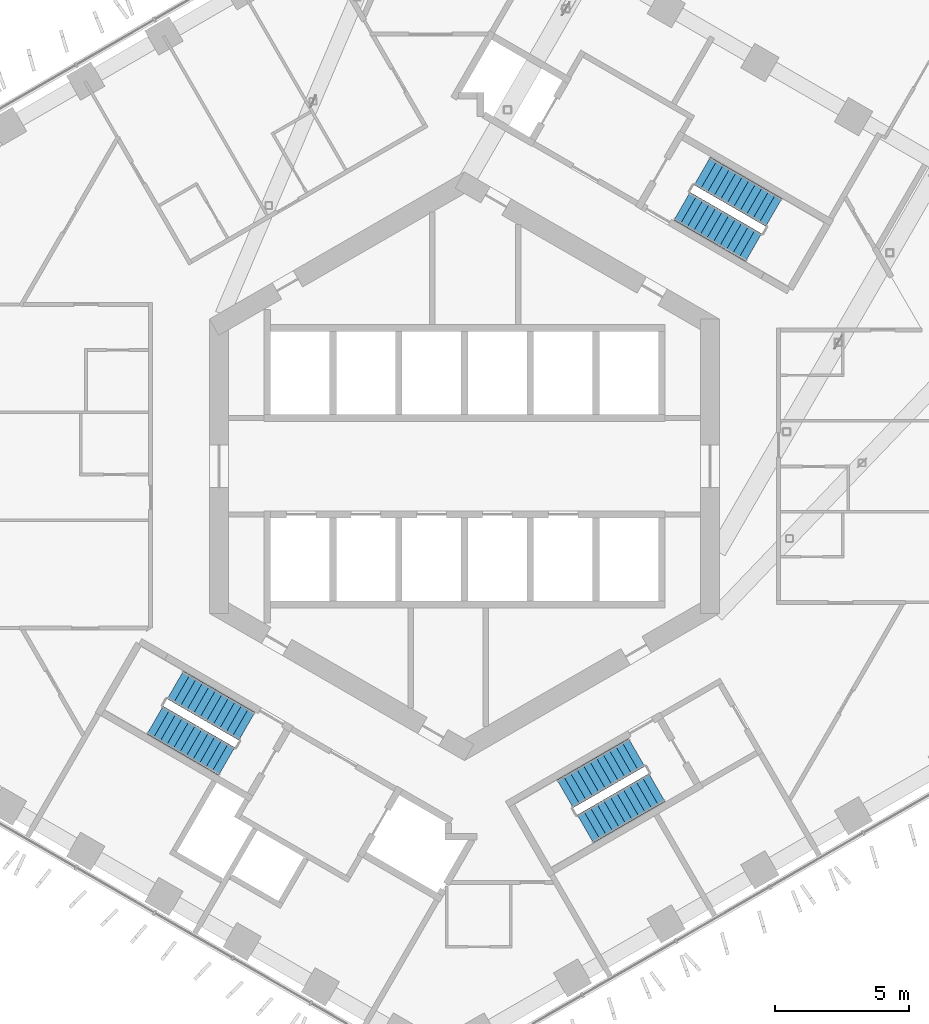
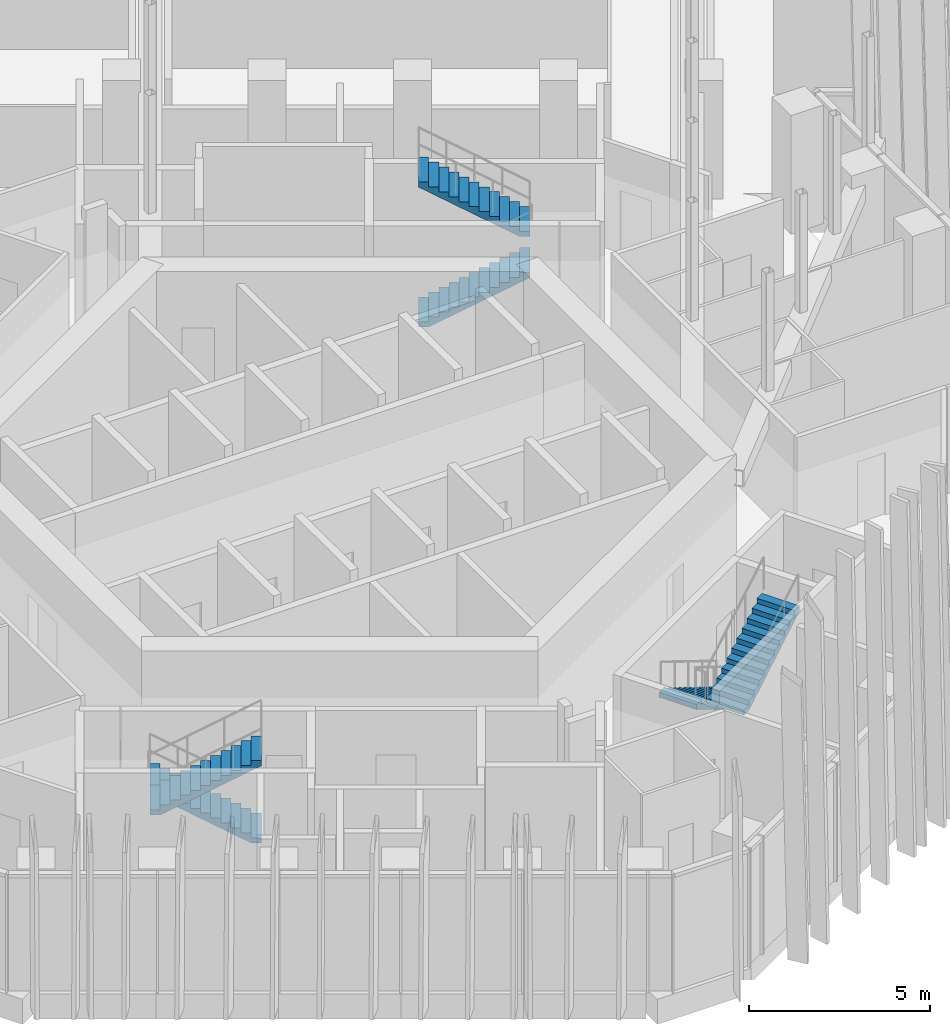
# One storey, part 26 of 31: 6 stair flights, 3 elements without a shape of their own.
"""IFC4 building model written with IfcOpenShell, lengths in metres."""

from ifc_helpers import new_model, si_unit, direction, frame, origin, place, context, subcontext, project, spatial, triangles, material, type_object, element, aggregate, save


model = new_model("IFC4")

# Units and contexts
model_context = context("Model", 3, precision=1e-05, world=origin(), true_north=direction((0.0, 1.0)))
body_context = subcontext(model_context, "Body", "Model", "MODEL_VIEW")
ifc_project = project(units=[si_unit("LENGTHUNIT", "METRE"), si_unit("AREAUNIT", "SQUARE_METRE"), si_unit("VOLUMEUNIT", "CUBIC_METRE"), si_unit("PLANEANGLEUNIT", "RADIAN"), si_unit("MASSUNIT", "GRAM", prefix="KILO")], contexts=[model_context])

# Site, building, storey
site_placement = place(None, origin())
site = spatial("IfcSite", under=ifc_project, at=site_placement, CompositionType="ELEMENT")
building_placement = place(site_placement, origin())
building = spatial("IfcBuilding", under=site, at=building_placement, Name="Ayvan Gate Tower", CompositionType="ELEMENT")
storey_placement = place(building_placement, frame((0.0, 0.0, 135.89990234375)))
storey = spatial("IfcBuildingStorey", under=building, at=storey_placement, Name="L36", CompositionType="ELEMENT", Elevation=135.89990234375)

# Stair, stair flights
ifc_material = material(Name="Concrete C40/50", Category="concrete")
stair_type = type_object("IfcStairType", Name="ST-EXIT", PredefinedType="HALF_TURN_STAIR", material=ifc_material)
stair_1_placement = place(storey_placement, origin())
stair_1 = element("IfcStair", 1, at=stair_1_placement, inside=storey, type_object=stair_type, Name="L36 Exit Stair S1", PredefinedType="HALF_TURN_STAIR")
stair_flight_type = type_object("IfcStairFlightType", Name="SFL-EXIT", PredefinedType="STRAIGHT", material=ifc_material)
stair_flight_1_placement = place(storey_placement, frame((8.106201171875, 9.690185546875, 0.0), z_axis=(0.0, 0.0, 1.0), x_axis=(0.866025403784, -0.5, 0.0)))
stair_flight_1 = element("IfcStairFlight", 2, at=stair_flight_1_placement, type_object=stair_flight_type, Name="STS1 flight 1", NumberOfRisers=12, NumberOfTreads=11, PredefinedType="STRAIGHT", RiserHeight=0.166666667, TreadLength=0.28, context=body_context, shape_type="Tessellation", body=[
    triangles([(0.293073, -0.599976, 0.0), (3.0805, -0.599976, 1.659182), (3.0805, -0.599976, 1.833333), (2.8, -0.599976, 1.833333), (2.8, -0.599976, 1.666667), (2.52, -0.599976, 1.666667), (2.52, -0.599976, 1.5), (2.24, -0.599976, 1.5), (2.24, -0.599976, 1.333333), (1.96, -0.599976, 1.333333), (1.96, -0.599976, 1.166667), (1.68, -0.599976, 1.166667), (1.68, -0.599976, 1.0), (1.4, -0.599976, 1.0), (1.4, -0.599976, 0.833333), (1.12, -0.599976, 0.833333), (1.12, -0.599976, 0.666667), (0.84, -0.599976, 0.666667), (0.84, -0.599976, 0.5), (0.56, -0.599976, 0.5), (0.56, -0.599976, 0.333333), (0.28, -0.599976, 0.333333), (0.28, -0.599976, 0.166667), (-0.0005, -0.599976, 0.166667), (-0.0005, -0.599976, 0.0), (0.293073, 0.0, 0.0), (3.0805, 0.0, 1.659182), (3.0805, 0.0, 1.833333), (2.8, 0.0, 1.833333), (2.8, 0.0, 1.666667), (2.52, 0.0, 1.666667), (2.52, 0.0, 1.5), (2.24, 0.0, 1.5), (2.24, 0.0, 1.333333), (1.96, 0.0, 1.333333), (1.96, 0.0, 1.166667), (1.68, 0.0, 1.166667), (1.68, 0.0, 1.0), (1.4, 0.0, 1.0), (1.4, 0.0, 0.833333), (1.12, 0.0, 0.833333), (1.12, 0.0, 0.666667), (0.84, 0.0, 0.666667), (0.84, 0.0, 0.5), (0.56, 0.0, 0.5), (0.56, 0.0, 0.333333), (0.28, 0.0, 0.333333), (0.28, 0.0, 0.166667), (-0.0005, 0.0, 0.166667), (-0.0005, 0.0, 0.0), (0.293073, 0.599976, 0.0), (3.0805, 0.599976, 1.659182), (3.0805, 0.599976, 1.833333), (2.8, 0.599976, 1.833333), (2.8, 0.599976, 1.666667), (2.52, 0.599976, 1.666667), (2.52, 0.599976, 1.5), (2.24, 0.599976, 1.5), (2.24, 0.599976, 1.333333), (1.96, 0.599976, 1.333333), (1.96, 0.599976, 1.166667), (1.68, 0.599976, 1.166667), (1.68, 0.599976, 1.0), (1.4, 0.599976, 1.0), (1.4, 0.599976, 0.833333), (1.12, 0.599976, 0.833333), (1.12, 0.599976, 0.666667), (0.84, 0.599976, 0.666667), (0.84, 0.599976, 0.5), (0.56, 0.599976, 0.5), (0.56, 0.599976, 0.333333), (0.28, 0.599976, 0.333333), (0.28, 0.599976, 0.166667), (-0.0005, 0.599976, 0.166667), (-0.0005, 0.599976, 0.0)], [[25, 1, 2], [75, 52, 51], [2, 3, 4], [52, 54, 53], [2, 4, 5], [52, 55, 54], [2, 5, 6], [52, 56, 55], [2, 6, 7], [52, 57, 56], [7, 8, 9], [57, 59, 58], [2, 7, 9], [52, 59, 57], [9, 10, 11], [59, 61, 60], [2, 9, 11], [52, 61, 59], [11, 12, 13], [61, 63, 62], [2, 11, 13], [52, 63, 61], [13, 14, 15], [63, 65, 64], [2, 13, 15], [52, 65, 63], [15, 16, 17], [65, 67, 66], [2, 15, 17], [52, 67, 65], [17, 18, 19], [67, 69, 68], [2, 17, 19], [52, 69, 67], [19, 20, 21], [69, 71, 70], [2, 19, 21], [52, 71, 69], [21, 22, 23], [71, 73, 72], [2, 21, 23], [52, 73, 71], [25, 2, 23], [75, 73, 52], [23, 24, 25], [73, 75, 74], [1, 26, 27], [1, 27, 2], [51, 27, 26], [51, 52, 27], [2, 27, 28], [2, 28, 3], [52, 28, 27], [52, 53, 28], [3, 28, 29], [3, 29, 4], [53, 29, 28], [53, 54, 29], [4, 29, 30], [4, 30, 5], [54, 30, 29], [54, 55, 30], [5, 30, 31], [5, 31, 6], [55, 31, 30], [55, 56, 31], [6, 31, 32], [6, 32, 7], [56, 32, 31], [56, 57, 32], [7, 32, 33], [7, 33, 8], [57, 33, 32], [57, 58, 33], [8, 33, 34], [8, 34, 9], [58, 34, 33], [58, 59, 34], [9, 34, 35], [9, 35, 10], [59, 35, 34], [59, 60, 35], [10, 35, 36], [10, 36, 11], [60, 36, 35], [60, 61, 36], [11, 36, 37], [11, 37, 12], [61, 37, 36], [61, 62, 37], [12, 37, 38], [12, 38, 13], [62, 38, 37], [62, 63, 38], [13, 38, 39], [13, 39, 14], [63, 39, 38], [63, 64, 39], [14, 39, 40], [14, 40, 15], [64, 40, 39], [64, 65, 40], [15, 40, 41], [15, 41, 16], [65, 41, 40], [65, 66, 41], [16, 41, 42], [16, 42, 17], [66, 42, 41], [66, 67, 42], [17, 42, 43], [17, 43, 18], [67, 43, 42], [67, 68, 43], [18, 43, 44], [18, 44, 19], [68, 44, 43], [68, 69, 44], [19, 44, 45], [19, 45, 20], [69, 45, 44], [69, 70, 45], [20, 45, 46], [20, 46, 21], [70, 46, 45], [70, 71, 46], [21, 46, 47], [21, 47, 22], [71, 47, 46], [71, 72, 47], [22, 47, 48], [22, 48, 23], [72, 48, 47], [72, 73, 48], [23, 48, 49], [23, 49, 24], [73, 49, 48], [73, 74, 49], [24, 49, 50], [24, 50, 25], [74, 50, 49], [74, 75, 50], [25, 50, 26], [25, 26, 1], [75, 26, 50], [75, 51, 26]], closed=True),
])
stair_flight_2_placement = place(storey_placement, frame((11.528564453125, 9.457763671875, 2.0), z_axis=(0.0, 0.0, 1.0), x_axis=(-0.866025403784, 0.5, 0.0)))
stair_flight_2 = element("IfcStairFlight", 3, at=stair_flight_2_placement, type_object=stair_flight_type, Name="STS1 flight 2", NumberOfRisers=12, NumberOfTreads=11, PredefinedType="STRAIGHT", RiserHeight=0.166666667, TreadLength=0.28, context=body_context, shape_type="Tessellation", body=[
    triangles([(0.293073, -0.599976, 0.0), (3.0805, -0.599976, 1.659182), (3.0805, -0.599976, 1.833333), (2.8, -0.599976, 1.833333), (2.8, -0.599976, 1.666667), (2.52, -0.599976, 1.666667), (2.52, -0.599976, 1.5), (2.24, -0.599976, 1.5), (2.24, -0.599976, 1.333333), (1.96, -0.599976, 1.333333), (1.96, -0.599976, 1.166667), (1.68, -0.599976, 1.166667), (1.68, -0.599976, 1.0), (1.4, -0.599976, 1.0), (1.4, -0.599976, 0.833333), (1.12, -0.599976, 0.833333), (1.12, -0.599976, 0.666667), (0.84, -0.599976, 0.666667), (0.84, -0.599976, 0.5), (0.56, -0.599976, 0.5), (0.56, -0.599976, 0.333333), (0.28, -0.599976, 0.333333), (0.28, -0.599976, 0.166667), (-0.0005, -0.599976, 0.166667), (-0.0005, -0.599976, 0.0), (0.293073, 0.0, 0.0), (3.0805, 0.0, 1.659182), (3.0805, 0.0, 1.833333), (2.8, 0.0, 1.833333), (2.8, 0.0, 1.666667), (2.52, 0.0, 1.666667), (2.52, 0.0, 1.5), (2.24, 0.0, 1.5), (2.24, 0.0, 1.333333), (1.96, 0.0, 1.333333), (1.96, 0.0, 1.166667), (1.68, 0.0, 1.166667), (1.68, 0.0, 1.0), (1.4, 0.0, 1.0), (1.4, 0.0, 0.833333), (1.12, 0.0, 0.833333), (1.12, 0.0, 0.666667), (0.84, 0.0, 0.666667), (0.84, 0.0, 0.5), (0.56, 0.0, 0.5), (0.56, 0.0, 0.333333), (0.28, 0.0, 0.333333), (0.28, 0.0, 0.166667), (-0.0005, 0.0, 0.166667), (-0.0005, 0.0, 0.0), (0.293073, 0.599976, 0.0), (3.0805, 0.599976, 1.659182), (3.0805, 0.599976, 1.833333), (2.8, 0.599976, 1.833333), (2.8, 0.599976, 1.666667), (2.52, 0.599976, 1.666667), (2.52, 0.599976, 1.5), (2.24, 0.599976, 1.5), (2.24, 0.599976, 1.333333), (1.96, 0.599976, 1.333333), (1.96, 0.599976, 1.166667), (1.68, 0.599976, 1.166667), (1.68, 0.599976, 1.0), (1.4, 0.599976, 1.0), (1.4, 0.599976, 0.833333), (1.12, 0.599976, 0.833333), (1.12, 0.599976, 0.666667), (0.84, 0.599976, 0.666667), (0.84, 0.599976, 0.5), (0.56, 0.599976, 0.5), (0.56, 0.599976, 0.333333), (0.28, 0.599976, 0.333333), (0.28, 0.599976, 0.166667), (-0.0005, 0.599976, 0.166667), (-0.0005, 0.599976, 0.0)], [[25, 1, 2], [75, 52, 51], [2, 3, 4], [52, 54, 53], [2, 4, 5], [52, 55, 54], [2, 5, 6], [52, 56, 55], [2, 6, 7], [52, 57, 56], [7, 8, 9], [57, 59, 58], [2, 7, 9], [52, 59, 57], [9, 10, 11], [59, 61, 60], [2, 9, 11], [52, 61, 59], [11, 12, 13], [61, 63, 62], [2, 11, 13], [52, 63, 61], [13, 14, 15], [63, 65, 64], [2, 13, 15], [52, 65, 63], [15, 16, 17], [65, 67, 66], [2, 15, 17], [52, 67, 65], [17, 18, 19], [67, 69, 68], [2, 17, 19], [52, 69, 67], [19, 20, 21], [69, 71, 70], [2, 19, 21], [52, 71, 69], [21, 22, 23], [71, 73, 72], [2, 21, 23], [52, 73, 71], [25, 2, 23], [75, 73, 52], [23, 24, 25], [73, 75, 74], [1, 26, 27], [1, 27, 2], [51, 27, 26], [51, 52, 27], [2, 27, 28], [2, 28, 3], [52, 28, 27], [52, 53, 28], [3, 28, 29], [3, 29, 4], [53, 29, 28], [53, 54, 29], [4, 29, 30], [4, 30, 5], [54, 30, 29], [54, 55, 30], [5, 30, 31], [5, 31, 6], [55, 31, 30], [55, 56, 31], [6, 31, 32], [6, 32, 7], [56, 32, 31], [56, 57, 32], [7, 32, 33], [7, 33, 8], [57, 33, 32], [57, 58, 33], [8, 33, 34], [8, 34, 9], [58, 34, 33], [58, 59, 34], [9, 34, 35], [9, 35, 10], [59, 35, 34], [59, 60, 35], [10, 35, 36], [10, 36, 11], [60, 36, 35], [60, 61, 36], [11, 36, 37], [11, 37, 12], [61, 37, 36], [61, 62, 37], [12, 37, 38], [12, 38, 13], [62, 38, 37], [62, 63, 38], [13, 38, 39], [13, 39, 14], [63, 39, 38], [63, 64, 39], [14, 39, 40], [14, 40, 15], [64, 40, 39], [64, 65, 40], [15, 40, 41], [15, 41, 16], [65, 41, 40], [65, 66, 41], [16, 41, 42], [16, 42, 17], [66, 42, 41], [66, 67, 42], [17, 42, 43], [17, 43, 18], [67, 43, 42], [67, 68, 43], [18, 43, 44], [18, 44, 19], [68, 44, 43], [68, 69, 44], [19, 44, 45], [19, 45, 20], [69, 45, 44], [69, 70, 45], [20, 45, 46], [20, 46, 21], [70, 46, 45], [70, 71, 46], [21, 46, 47], [21, 47, 22], [71, 47, 46], [71, 72, 47], [22, 47, 48], [22, 48, 23], [72, 48, 47], [72, 73, 48], [23, 48, 49], [23, 49, 24], [73, 49, 48], [73, 74, 49], [24, 49, 50], [24, 50, 25], [74, 50, 49], [74, 75, 50], [25, 50, 26], [25, 26, 1], [75, 26, 50], [75, 51, 26]], closed=True),
])
aggregate(stair_1, [stair_flight_1, stair_flight_2])

stair_2_placement = place(storey_placement, origin())
stair_2 = element("IfcStair", 4, at=stair_2_placement, inside=storey, type_object=stair_type, Name="L36 Exit Stair S2", PredefinedType="HALF_TURN_STAIR")
stair_flight_3_placement = place(storey_placement, frame((-8.106201171875, -9.690185546875, 0.0), z_axis=(0.0, 0.0, 1.0), x_axis=(-0.866025403784, 0.5, 0.0)))
stair_flight_3 = element("IfcStairFlight", 5, at=stair_flight_3_placement, type_object=stair_flight_type, Name="STS2 flight 1", NumberOfRisers=12, NumberOfTreads=11, PredefinedType="STRAIGHT", RiserHeight=0.166666667, TreadLength=0.28, context=body_context, shape_type="Tessellation", body=[
    triangles([(0.293073, -0.599976, 0.0), (3.0805, -0.599976, 1.659182), (3.0805, -0.599976, 1.833333), (2.8, -0.599976, 1.833333), (2.8, -0.599976, 1.666667), (2.52, -0.599976, 1.666667), (2.52, -0.599976, 1.5), (2.24, -0.599976, 1.5), (2.24, -0.599976, 1.333333), (1.96, -0.599976, 1.333333), (1.96, -0.599976, 1.166667), (1.68, -0.599976, 1.166667), (1.68, -0.599976, 1.0), (1.4, -0.599976, 1.0), (1.4, -0.599976, 0.833333), (1.12, -0.599976, 0.833333), (1.12, -0.599976, 0.666667), (0.84, -0.599976, 0.666667), (0.84, -0.599976, 0.5), (0.56, -0.599976, 0.5), (0.56, -0.599976, 0.333333), (0.28, -0.599976, 0.333333), (0.28, -0.599976, 0.166667), (-0.0005, -0.599976, 0.166667), (-0.0005, -0.599976, 0.0), (0.293073, 0.0, 0.0), (3.0805, 0.0, 1.659182), (3.0805, 0.0, 1.833333), (2.8, 0.0, 1.833333), (2.8, 0.0, 1.666667), (2.52, 0.0, 1.666667), (2.52, 0.0, 1.5), (2.24, 0.0, 1.5), (2.24, 0.0, 1.333333), (1.96, 0.0, 1.333333), (1.96, 0.0, 1.166667), (1.68, 0.0, 1.166667), (1.68, 0.0, 1.0), (1.4, 0.0, 1.0), (1.4, 0.0, 0.833333), (1.12, 0.0, 0.833333), (1.12, 0.0, 0.666667), (0.84, 0.0, 0.666667), (0.84, 0.0, 0.5), (0.56, 0.0, 0.5), (0.56, 0.0, 0.333333), (0.28, 0.0, 0.333333), (0.28, 0.0, 0.166667), (-0.0005, 0.0, 0.166667), (-0.0005, 0.0, 0.0), (0.293073, 0.599976, 0.0), (3.0805, 0.599976, 1.659182), (3.0805, 0.599976, 1.833333), (2.8, 0.599976, 1.833333), (2.8, 0.599976, 1.666667), (2.52, 0.599976, 1.666667), (2.52, 0.599976, 1.5), (2.24, 0.599976, 1.5), (2.24, 0.599976, 1.333333), (1.96, 0.599976, 1.333333), (1.96, 0.599976, 1.166667), (1.68, 0.599976, 1.166667), (1.68, 0.599976, 1.0), (1.4, 0.599976, 1.0), (1.4, 0.599976, 0.833333), (1.12, 0.599976, 0.833333), (1.12, 0.599976, 0.666667), (0.84, 0.599976, 0.666667), (0.84, 0.599976, 0.5), (0.56, 0.599976, 0.5), (0.56, 0.599976, 0.333333), (0.28, 0.599976, 0.333333), (0.28, 0.599976, 0.166667), (-0.0005, 0.599976, 0.166667), (-0.0005, 0.599976, 0.0)], [[25, 1, 2], [75, 52, 51], [2, 3, 4], [52, 54, 53], [2, 4, 5], [52, 55, 54], [2, 5, 6], [52, 56, 55], [2, 6, 7], [52, 57, 56], [7, 8, 9], [57, 59, 58], [2, 7, 9], [52, 59, 57], [9, 10, 11], [59, 61, 60], [2, 9, 11], [52, 61, 59], [11, 12, 13], [61, 63, 62], [2, 11, 13], [52, 63, 61], [13, 14, 15], [63, 65, 64], [2, 13, 15], [52, 65, 63], [15, 16, 17], [65, 67, 66], [2, 15, 17], [52, 67, 65], [17, 18, 19], [67, 69, 68], [2, 17, 19], [52, 69, 67], [19, 20, 21], [69, 71, 70], [2, 19, 21], [52, 71, 69], [21, 22, 23], [71, 73, 72], [2, 21, 23], [52, 73, 71], [25, 2, 23], [75, 73, 52], [23, 24, 25], [73, 75, 74], [1, 26, 27], [1, 27, 2], [51, 27, 26], [51, 52, 27], [2, 27, 28], [2, 28, 3], [52, 28, 27], [52, 53, 28], [3, 28, 29], [3, 29, 4], [53, 29, 28], [53, 54, 29], [4, 29, 30], [4, 30, 5], [54, 30, 29], [54, 55, 30], [5, 30, 31], [5, 31, 6], [55, 31, 30], [55, 56, 31], [6, 31, 32], [6, 32, 7], [56, 32, 31], [56, 57, 32], [7, 32, 33], [7, 33, 8], [57, 33, 32], [57, 58, 33], [8, 33, 34], [8, 34, 9], [58, 34, 33], [58, 59, 34], [9, 34, 35], [9, 35, 10], [59, 35, 34], [59, 60, 35], [10, 35, 36], [10, 36, 11], [60, 36, 35], [60, 61, 36], [11, 36, 37], [11, 37, 12], [61, 37, 36], [61, 62, 37], [12, 37, 38], [12, 38, 13], [62, 38, 37], [62, 63, 38], [13, 38, 39], [13, 39, 14], [63, 39, 38], [63, 64, 39], [14, 39, 40], [14, 40, 15], [64, 40, 39], [64, 65, 40], [15, 40, 41], [15, 41, 16], [65, 41, 40], [65, 66, 41], [16, 41, 42], [16, 42, 17], [66, 42, 41], [66, 67, 42], [17, 42, 43], [17, 43, 18], [67, 43, 42], [67, 68, 43], [18, 43, 44], [18, 44, 19], [68, 44, 43], [68, 69, 44], [19, 44, 45], [19, 45, 20], [69, 45, 44], [69, 70, 45], [20, 45, 46], [20, 46, 21], [70, 46, 45], [70, 71, 46], [21, 46, 47], [21, 47, 22], [71, 47, 46], [71, 72, 47], [22, 47, 48], [22, 48, 23], [72, 48, 47], [72, 73, 48], [23, 48, 49], [23, 49, 24], [73, 49, 48], [73, 74, 49], [24, 49, 50], [24, 50, 25], [74, 50, 49], [74, 75, 50], [25, 50, 26], [25, 26, 1], [75, 26, 50], [75, 51, 26]], closed=True),
])
stair_flight_4_placement = place(storey_placement, frame((-11.528564453125, -9.457763671875, 2.0), z_axis=(0.0, 0.0, 1.0), x_axis=(0.866025403784, -0.5, 0.0)))
stair_flight_4 = element("IfcStairFlight", 6, at=stair_flight_4_placement, type_object=stair_flight_type, Name="STS2 flight 2", NumberOfRisers=12, NumberOfTreads=11, PredefinedType="STRAIGHT", RiserHeight=0.166666667, TreadLength=0.28, context=body_context, shape_type="Tessellation", body=[
    triangles([(0.293073, -0.599976, 0.0), (3.0805, -0.599976, 1.659182), (3.0805, -0.599976, 1.833333), (2.8, -0.599976, 1.833333), (2.8, -0.599976, 1.666667), (2.52, -0.599976, 1.666667), (2.52, -0.599976, 1.5), (2.24, -0.599976, 1.5), (2.24, -0.599976, 1.333333), (1.96, -0.599976, 1.333333), (1.96, -0.599976, 1.166667), (1.68, -0.599976, 1.166667), (1.68, -0.599976, 1.0), (1.4, -0.599976, 1.0), (1.4, -0.599976, 0.833333), (1.12, -0.599976, 0.833333), (1.12, -0.599976, 0.666667), (0.84, -0.599976, 0.666667), (0.84, -0.599976, 0.5), (0.56, -0.599976, 0.5), (0.56, -0.599976, 0.333333), (0.28, -0.599976, 0.333333), (0.28, -0.599976, 0.166667), (-0.0005, -0.599976, 0.166667), (-0.0005, -0.599976, 0.0), (0.293073, 0.0, 0.0), (3.0805, 0.0, 1.659182), (3.0805, 0.0, 1.833333), (2.8, 0.0, 1.833333), (2.8, 0.0, 1.666667), (2.52, 0.0, 1.666667), (2.52, 0.0, 1.5), (2.24, 0.0, 1.5), (2.24, 0.0, 1.333333), (1.96, 0.0, 1.333333), (1.96, 0.0, 1.166667), (1.68, 0.0, 1.166667), (1.68, 0.0, 1.0), (1.4, 0.0, 1.0), (1.4, 0.0, 0.833333), (1.12, 0.0, 0.833333), (1.12, 0.0, 0.666667), (0.84, 0.0, 0.666667), (0.84, 0.0, 0.5), (0.56, 0.0, 0.5), (0.56, 0.0, 0.333333), (0.28, 0.0, 0.333333), (0.28, 0.0, 0.166667), (-0.0005, 0.0, 0.166667), (-0.0005, 0.0, 0.0), (0.293073, 0.599976, 0.0), (3.0805, 0.599976, 1.659182), (3.0805, 0.599976, 1.833333), (2.8, 0.599976, 1.833333), (2.8, 0.599976, 1.666667), (2.52, 0.599976, 1.666667), (2.52, 0.599976, 1.5), (2.24, 0.599976, 1.5), (2.24, 0.599976, 1.333333), (1.96, 0.599976, 1.333333), (1.96, 0.599976, 1.166667), (1.68, 0.599976, 1.166667), (1.68, 0.599976, 1.0), (1.4, 0.599976, 1.0), (1.4, 0.599976, 0.833333), (1.12, 0.599976, 0.833333), (1.12, 0.599976, 0.666667), (0.84, 0.599976, 0.666667), (0.84, 0.599976, 0.5), (0.56, 0.599976, 0.5), (0.56, 0.599976, 0.333333), (0.28, 0.599976, 0.333333), (0.28, 0.599976, 0.166667), (-0.0005, 0.599976, 0.166667), (-0.0005, 0.599976, 0.0)], [[25, 1, 2], [75, 52, 51], [2, 3, 4], [52, 54, 53], [2, 4, 5], [52, 55, 54], [2, 5, 6], [52, 56, 55], [2, 6, 7], [52, 57, 56], [7, 8, 9], [57, 59, 58], [2, 7, 9], [52, 59, 57], [9, 10, 11], [59, 61, 60], [2, 9, 11], [52, 61, 59], [11, 12, 13], [61, 63, 62], [2, 11, 13], [52, 63, 61], [13, 14, 15], [63, 65, 64], [2, 13, 15], [52, 65, 63], [15, 16, 17], [65, 67, 66], [2, 15, 17], [52, 67, 65], [17, 18, 19], [67, 69, 68], [2, 17, 19], [52, 69, 67], [19, 20, 21], [69, 71, 70], [2, 19, 21], [52, 71, 69], [21, 22, 23], [71, 73, 72], [2, 21, 23], [52, 73, 71], [25, 2, 23], [75, 73, 52], [23, 24, 25], [73, 75, 74], [1, 26, 27], [1, 27, 2], [51, 27, 26], [51, 52, 27], [2, 27, 28], [2, 28, 3], [52, 28, 27], [52, 53, 28], [3, 28, 29], [3, 29, 4], [53, 29, 28], [53, 54, 29], [4, 29, 30], [4, 30, 5], [54, 30, 29], [54, 55, 30], [5, 30, 31], [5, 31, 6], [55, 31, 30], [55, 56, 31], [6, 31, 32], [6, 32, 7], [56, 32, 31], [56, 57, 32], [7, 32, 33], [7, 33, 8], [57, 33, 32], [57, 58, 33], [8, 33, 34], [8, 34, 9], [58, 34, 33], [58, 59, 34], [9, 34, 35], [9, 35, 10], [59, 35, 34], [59, 60, 35], [10, 35, 36], [10, 36, 11], [60, 36, 35], [60, 61, 36], [11, 36, 37], [11, 37, 12], [61, 37, 36], [61, 62, 37], [12, 37, 38], [12, 38, 13], [62, 38, 37], [62, 63, 38], [13, 38, 39], [13, 39, 14], [63, 39, 38], [63, 64, 39], [14, 39, 40], [14, 40, 15], [64, 40, 39], [64, 65, 40], [15, 40, 41], [15, 41, 16], [65, 41, 40], [65, 66, 41], [16, 41, 42], [16, 42, 17], [66, 42, 41], [66, 67, 42], [17, 42, 43], [17, 43, 18], [67, 43, 42], [67, 68, 43], [18, 43, 44], [18, 44, 19], [68, 44, 43], [68, 69, 44], [19, 44, 45], [19, 45, 20], [69, 45, 44], [69, 70, 45], [20, 45, 46], [20, 46, 21], [70, 46, 45], [70, 71, 46], [21, 46, 47], [21, 47, 22], [71, 47, 46], [71, 72, 47], [22, 47, 48], [22, 48, 23], [72, 48, 47], [72, 73, 48], [23, 48, 49], [23, 49, 24], [73, 49, 48], [73, 74, 49], [24, 49, 50], [24, 50, 25], [74, 50, 49], [74, 75, 50], [25, 50, 26], [25, 26, 1], [75, 26, 50], [75, 51, 26]], closed=True),
])
aggregate(stair_2, [stair_flight_3, stair_flight_4])

stair_3_placement = place(storey_placement, origin())
stair_3 = element("IfcStair", 7, at=stair_3_placement, inside=storey, type_object=stair_type, Name="L36 Exit Stair S3", PredefinedType="HALF_TURN_STAIR")
stair_flight_5_placement = place(storey_placement, frame((6.417236328125, -10.665283203125, 0.0), z_axis=(0.0, 0.0, 1.0), x_axis=(-0.866025403784, -0.5, 0.0)))
stair_flight_5 = element("IfcStairFlight", 8, at=stair_flight_5_placement, type_object=stair_flight_type, Name="STS3 flight 1", NumberOfRisers=12, NumberOfTreads=11, PredefinedType="STRAIGHT", RiserHeight=0.166666667, TreadLength=0.28, context=body_context, shape_type="Tessellation", body=[
    triangles([(0.293073, -0.599976, 0.0), (3.0805, -0.599976, 1.659182), (3.0805, -0.599976, 1.833333), (2.8, -0.599976, 1.833333), (2.8, -0.599976, 1.666667), (2.52, -0.599976, 1.666667), (2.52, -0.599976, 1.5), (2.24, -0.599976, 1.5), (2.24, -0.599976, 1.333333), (1.96, -0.599976, 1.333333), (1.96, -0.599976, 1.166667), (1.68, -0.599976, 1.166667), (1.68, -0.599976, 1.0), (1.4, -0.599976, 1.0), (1.4, -0.599976, 0.833333), (1.12, -0.599976, 0.833333), (1.12, -0.599976, 0.666667), (0.84, -0.599976, 0.666667), (0.84, -0.599976, 0.5), (0.56, -0.599976, 0.5), (0.56, -0.599976, 0.333333), (0.28, -0.599976, 0.333333), (0.28, -0.599976, 0.166667), (-0.0005, -0.599976, 0.166667), (-0.0005, -0.599976, 0.0), (0.293073, 0.0, 0.0), (3.0805, 0.0, 1.659182), (3.0805, 0.0, 1.833333), (2.8, 0.0, 1.833333), (2.8, 0.0, 1.666667), (2.52, 0.0, 1.666667), (2.52, 0.0, 1.5), (2.24, 0.0, 1.5), (2.24, 0.0, 1.333333), (1.96, 0.0, 1.333333), (1.96, 0.0, 1.166667), (1.68, 0.0, 1.166667), (1.68, 0.0, 1.0), (1.4, 0.0, 1.0), (1.4, 0.0, 0.833333), (1.12, 0.0, 0.833333), (1.12, 0.0, 0.666667), (0.84, 0.0, 0.666667), (0.84, 0.0, 0.5), (0.56, 0.0, 0.5), (0.56, 0.0, 0.333333), (0.28, 0.0, 0.333333), (0.28, 0.0, 0.166667), (-0.0005, 0.0, 0.166667), (-0.0005, 0.0, 0.0), (0.293073, 0.599976, 0.0), (3.0805, 0.599976, 1.659182), (3.0805, 0.599976, 1.833333), (2.8, 0.599976, 1.833333), (2.8, 0.599976, 1.666667), (2.52, 0.599976, 1.666667), (2.52, 0.599976, 1.5), (2.24, 0.599976, 1.5), (2.24, 0.599976, 1.333333), (1.96, 0.599976, 1.333333), (1.96, 0.599976, 1.166667), (1.68, 0.599976, 1.166667), (1.68, 0.599976, 1.0), (1.4, 0.599976, 1.0), (1.4, 0.599976, 0.833333), (1.12, 0.599976, 0.833333), (1.12, 0.599976, 0.666667), (0.84, 0.599976, 0.666667), (0.84, 0.599976, 0.5), (0.56, 0.599976, 0.5), (0.56, 0.599976, 0.333333), (0.28, 0.599976, 0.333333), (0.28, 0.599976, 0.166667), (-0.0005, 0.599976, 0.166667), (-0.0005, 0.599976, 0.0)], [[25, 1, 2], [75, 52, 51], [2, 3, 4], [52, 54, 53], [2, 4, 5], [52, 55, 54], [2, 5, 6], [52, 56, 55], [2, 6, 7], [52, 57, 56], [7, 8, 9], [57, 59, 58], [2, 7, 9], [52, 59, 57], [9, 10, 11], [59, 61, 60], [2, 9, 11], [52, 61, 59], [11, 12, 13], [61, 63, 62], [2, 11, 13], [52, 63, 61], [13, 14, 15], [63, 65, 64], [2, 13, 15], [52, 65, 63], [15, 16, 17], [65, 67, 66], [2, 15, 17], [52, 67, 65], [17, 18, 19], [67, 69, 68], [2, 17, 19], [52, 69, 67], [19, 20, 21], [69, 71, 70], [2, 19, 21], [52, 71, 69], [21, 22, 23], [71, 73, 72], [2, 21, 23], [52, 73, 71], [25, 2, 23], [75, 73, 52], [23, 24, 25], [73, 75, 74], [1, 26, 27], [1, 27, 2], [51, 27, 26], [51, 52, 27], [2, 27, 28], [2, 28, 3], [52, 28, 27], [52, 53, 28], [3, 28, 29], [3, 29, 4], [53, 29, 28], [53, 54, 29], [4, 29, 30], [4, 30, 5], [54, 30, 29], [54, 55, 30], [5, 30, 31], [5, 31, 6], [55, 31, 30], [55, 56, 31], [6, 31, 32], [6, 32, 7], [56, 32, 31], [56, 57, 32], [7, 32, 33], [7, 33, 8], [57, 33, 32], [57, 58, 33], [8, 33, 34], [8, 34, 9], [58, 34, 33], [58, 59, 34], [9, 34, 35], [9, 35, 10], [59, 35, 34], [59, 60, 35], [10, 35, 36], [10, 36, 11], [60, 36, 35], [60, 61, 36], [11, 36, 37], [11, 37, 12], [61, 37, 36], [61, 62, 37], [12, 37, 38], [12, 38, 13], [62, 38, 37], [62, 63, 38], [13, 38, 39], [13, 39, 14], [63, 39, 38], [63, 64, 39], [14, 39, 40], [14, 40, 15], [64, 40, 39], [64, 65, 40], [15, 40, 41], [15, 41, 16], [65, 41, 40], [65, 66, 41], [16, 41, 42], [16, 42, 17], [66, 42, 41], [66, 67, 42], [17, 42, 43], [17, 43, 18], [67, 43, 42], [67, 68, 43], [18, 43, 44], [18, 44, 19], [68, 44, 43], [68, 69, 44], [19, 44, 45], [19, 45, 20], [69, 45, 44], [69, 70, 45], [20, 45, 46], [20, 46, 21], [70, 46, 45], [70, 71, 46], [21, 46, 47], [21, 47, 22], [71, 47, 46], [71, 72, 47], [22, 47, 48], [22, 48, 23], [72, 48, 47], [72, 73, 48], [23, 48, 49], [23, 49, 24], [73, 49, 48], [73, 74, 49], [24, 49, 50], [24, 50, 25], [74, 50, 49], [74, 75, 50], [25, 50, 26], [25, 26, 1], [75, 26, 50], [75, 51, 26]], closed=True),
])
stair_flight_6_placement = place(storey_placement, frame((4.5048828125, -13.512939453125, 2.0), z_axis=(0.0, 0.0, 1.0), x_axis=(0.866025403784, 0.5, 0.0)))
stair_flight_6 = element("IfcStairFlight", 9, at=stair_flight_6_placement, type_object=stair_flight_type, Name="STS3 flight 2", NumberOfRisers=12, NumberOfTreads=11, PredefinedType="STRAIGHT", RiserHeight=0.166666667, TreadLength=0.28, context=body_context, shape_type="Tessellation", body=[
    triangles([(0.293073, -0.599976, 0.0), (3.0805, -0.599976, 1.659182), (3.0805, -0.599976, 1.833333), (2.8, -0.599976, 1.833333), (2.8, -0.599976, 1.666667), (2.52, -0.599976, 1.666667), (2.52, -0.599976, 1.5), (2.24, -0.599976, 1.5), (2.24, -0.599976, 1.333333), (1.96, -0.599976, 1.333333), (1.96, -0.599976, 1.166667), (1.68, -0.599976, 1.166667), (1.68, -0.599976, 1.0), (1.4, -0.599976, 1.0), (1.4, -0.599976, 0.833333), (1.12, -0.599976, 0.833333), (1.12, -0.599976, 0.666667), (0.84, -0.599976, 0.666667), (0.84, -0.599976, 0.5), (0.56, -0.599976, 0.5), (0.56, -0.599976, 0.333333), (0.28, -0.599976, 0.333333), (0.28, -0.599976, 0.166667), (-0.0005, -0.599976, 0.166667), (-0.0005, -0.599976, 0.0), (0.293073, 0.0, 0.0), (3.0805, 0.0, 1.659182), (3.0805, 0.0, 1.833333), (2.8, 0.0, 1.833333), (2.8, 0.0, 1.666667), (2.52, 0.0, 1.666667), (2.52, 0.0, 1.5), (2.24, 0.0, 1.5), (2.24, 0.0, 1.333333), (1.96, 0.0, 1.333333), (1.96, 0.0, 1.166667), (1.68, 0.0, 1.166667), (1.68, 0.0, 1.0), (1.4, 0.0, 1.0), (1.4, 0.0, 0.833333), (1.12, 0.0, 0.833333), (1.12, 0.0, 0.666667), (0.84, 0.0, 0.666667), (0.84, 0.0, 0.5), (0.56, 0.0, 0.5), (0.56, 0.0, 0.333333), (0.28, 0.0, 0.333333), (0.28, 0.0, 0.166667), (-0.0005, 0.0, 0.166667), (-0.0005, 0.0, 0.0), (0.293073, 0.599976, 0.0), (3.0805, 0.599976, 1.659182), (3.0805, 0.599976, 1.833333), (2.8, 0.599976, 1.833333), (2.8, 0.599976, 1.666667), (2.52, 0.599976, 1.666667), (2.52, 0.599976, 1.5), (2.24, 0.599976, 1.5), (2.24, 0.599976, 1.333333), (1.96, 0.599976, 1.333333), (1.96, 0.599976, 1.166667), (1.68, 0.599976, 1.166667), (1.68, 0.599976, 1.0), (1.4, 0.599976, 1.0), (1.4, 0.599976, 0.833333), (1.12, 0.599976, 0.833333), (1.12, 0.599976, 0.666667), (0.84, 0.599976, 0.666667), (0.84, 0.599976, 0.5), (0.56, 0.599976, 0.5), (0.56, 0.599976, 0.333333), (0.28, 0.599976, 0.333333), (0.28, 0.599976, 0.166667), (-0.0005, 0.599976, 0.166667), (-0.0005, 0.599976, 0.0)], [[25, 1, 2], [75, 52, 51], [2, 3, 4], [52, 54, 53], [2, 4, 5], [52, 55, 54], [2, 5, 6], [52, 56, 55], [2, 6, 7], [52, 57, 56], [7, 8, 9], [57, 59, 58], [2, 7, 9], [52, 59, 57], [9, 10, 11], [59, 61, 60], [2, 9, 11], [52, 61, 59], [11, 12, 13], [61, 63, 62], [2, 11, 13], [52, 63, 61], [13, 14, 15], [63, 65, 64], [2, 13, 15], [52, 65, 63], [15, 16, 17], [65, 67, 66], [2, 15, 17], [52, 67, 65], [17, 18, 19], [67, 69, 68], [2, 17, 19], [52, 69, 67], [19, 20, 21], [69, 71, 70], [2, 19, 21], [52, 71, 69], [21, 22, 23], [71, 73, 72], [2, 21, 23], [52, 73, 71], [25, 2, 23], [75, 73, 52], [23, 24, 25], [73, 75, 74], [1, 26, 27], [1, 27, 2], [51, 27, 26], [51, 52, 27], [2, 27, 28], [2, 28, 3], [52, 28, 27], [52, 53, 28], [3, 28, 29], [3, 29, 4], [53, 29, 28], [53, 54, 29], [4, 29, 30], [4, 30, 5], [54, 30, 29], [54, 55, 30], [5, 30, 31], [5, 31, 6], [55, 31, 30], [55, 56, 31], [6, 31, 32], [6, 32, 7], [56, 32, 31], [56, 57, 32], [7, 32, 33], [7, 33, 8], [57, 33, 32], [57, 58, 33], [8, 33, 34], [8, 34, 9], [58, 34, 33], [58, 59, 34], [9, 34, 35], [9, 35, 10], [59, 35, 34], [59, 60, 35], [10, 35, 36], [10, 36, 11], [60, 36, 35], [60, 61, 36], [11, 36, 37], [11, 37, 12], [61, 37, 36], [61, 62, 37], [12, 37, 38], [12, 38, 13], [62, 38, 37], [62, 63, 38], [13, 38, 39], [13, 39, 14], [63, 39, 38], [63, 64, 39], [14, 39, 40], [14, 40, 15], [64, 40, 39], [64, 65, 40], [15, 40, 41], [15, 41, 16], [65, 41, 40], [65, 66, 41], [16, 41, 42], [16, 42, 17], [66, 42, 41], [66, 67, 42], [17, 42, 43], [17, 43, 18], [67, 43, 42], [67, 68, 43], [18, 43, 44], [18, 44, 19], [68, 44, 43], [68, 69, 44], [19, 44, 45], [19, 45, 20], [69, 45, 44], [69, 70, 45], [20, 45, 46], [20, 46, 21], [70, 46, 45], [70, 71, 46], [21, 46, 47], [21, 47, 22], [71, 47, 46], [71, 72, 47], [22, 47, 48], [22, 48, 23], [72, 48, 47], [72, 73, 48], [23, 48, 49], [23, 49, 24], [73, 49, 48], [73, 74, 49], [24, 49, 50], [24, 50, 25], [74, 50, 49], [74, 75, 50], [25, 50, 26], [25, 26, 1], [75, 26, 50], [75, 51, 26]], closed=True),
])
aggregate(stair_3, [stair_flight_5, stair_flight_6])

save(model, "model.ifc")
